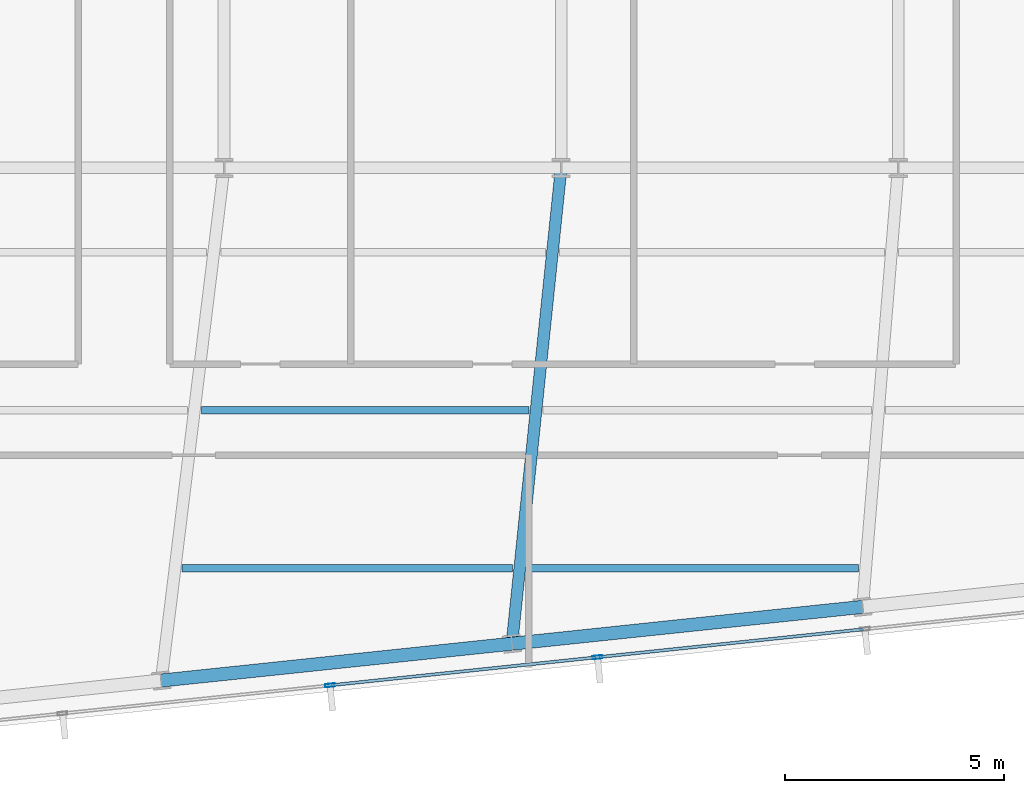
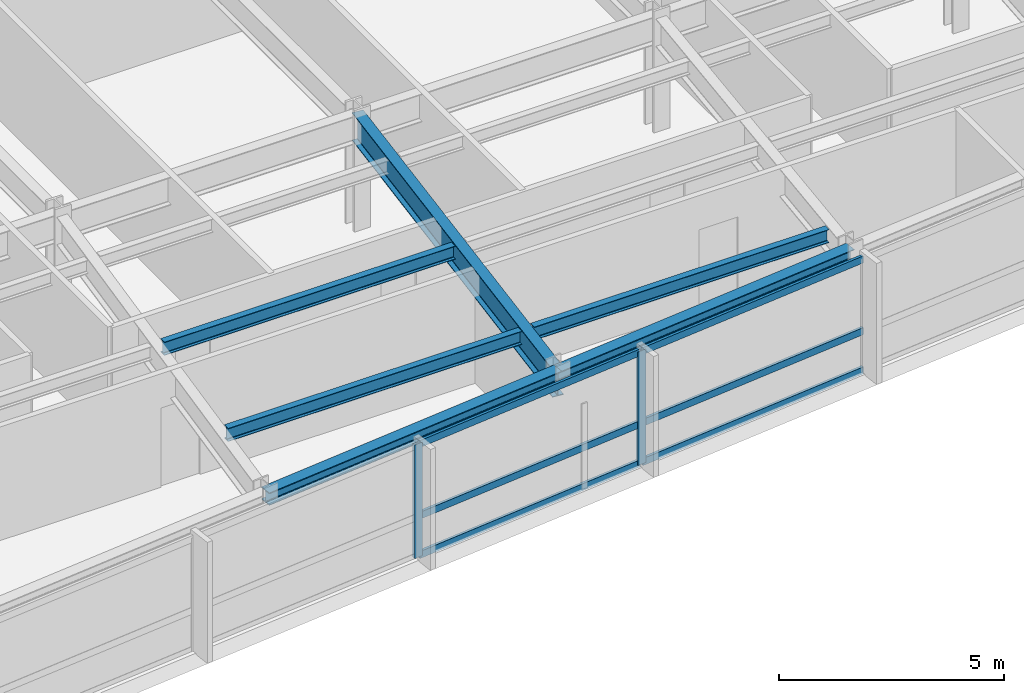
# One storey, part 4 of 26: 8 members, 6 beams, 1 element without a shape of its own.
"""IFC4 building model written with IfcOpenShell, lengths in metres."""

import ifcopenshell
import ifcopenshell.guid

model = None  # the IFC model being written
_history = None  # IfcOwnerHistory: only IFC2X3 demands one
_inside = {}  # id of a spatial element -> (the spatial element, [elements in it])
_under = {}  # id of a project, library or spatial element -> (it, [spatial elements below it])
_declared = {}  # id of a project -> (the project, [libraries it declares])
_typed = {}  # id of a type object -> (the type object, [elements of that type])
_made_of = {}  # id of a material, layer set ... -> (it, [elements and type objects made of it])


def new_model(schema):
    """Start an empty IFC model of exactly this schema.

    Asked for "IFC4X3", IfcOpenShell would pick the latest addendum, in which some entities
    have other attributes; the version numbers below select the first issue.
    IFC2X3 requires an IfcOwnerHistory on every rooted entity: one is made here for all.
    """
    global model, _history
    if schema == "IFC4X3":
        model = ifcopenshell.file(schema_version=(4, 3, 0, 0))
    else:
        model = ifcopenshell.file(schema=schema)
    _inside.clear()
    _under.clear()
    _declared.clear()
    _typed.clear()
    _made_of.clear()
    _history = None
    if model.schema == "IFC2X3":
        org = make("IfcOrganization", Name="unknown")
        user = make(
            "IfcPersonAndOrganization",
            ThePerson=make("IfcPerson", FamilyName="unknown"),
            TheOrganization=org,
        )
        app = make(
            "IfcApplication",
            ApplicationDeveloper=org,
            Version="unknown",
            ApplicationFullName="unknown",
            ApplicationIdentifier="unknown",
        )
        _history = make(
            "IfcOwnerHistory",
            OwningUser=user,
            OwningApplication=app,
            ChangeAction="ADDED",
            CreationDate=0,
        )
    return model


def make(cls, **values):
    """One entity of the class cls with the attributes given. An attribute that is None is left unset."""
    return model.create_entity(
        cls, **{name: value for name, value in values.items() if value is not None}
    )


def rooted(cls, **values):
    """An entity with a GlobalId (a new one), such as an element, a storey or a relation."""
    return make(cls, GlobalId=ifcopenshell.guid.new(), OwnerHistory=_history, **values)


def si_unit(unit_type, name, prefix=None):
    """IfcSIUnit, for example si_unit("LENGTHUNIT", "METRE", prefix="MILLI")."""
    return make("IfcSIUnit", UnitType=unit_type, Prefix=prefix, Name=name)


def assignment(units):
    """IfcUnitAssignment: the units of a project."""
    return None if units is None else make("IfcUnitAssignment", Units=units)


def point(xyz):
    """IfcCartesianPoint."""
    return None if xyz is None else make("IfcCartesianPoint", Coordinates=xyz)


def direction(xyz):
    """IfcDirection."""
    return None if xyz is None else make("IfcDirection", DirectionRatios=xyz)


def frame(location, z_axis=None, x_axis=None):
    """IfcAxis2Placement3D, a coordinate frame: its origin and axes. An axis left out is left unset."""
    return make(
        "IfcAxis2Placement3D",
        Location=point(location),
        Axis=direction(z_axis),
        RefDirection=direction(x_axis),
    )


def frame_2d(location, x_axis=None):
    """IfcAxis2Placement2D, a coordinate frame in the plane: its origin and x axis."""
    return make(
        "IfcAxis2Placement2D", Location=point(location), RefDirection=direction(x_axis)
    )


def origin():
    """The frame at (0, 0, 0) with its axes left unset."""
    return frame((0.0, 0.0, 0.0))


def origin_2d():
    """The frame at (0, 0) in the plane with its x axis left unset."""
    return frame_2d((0.0, 0.0))


def place(relative_to, where):
    """IfcLocalPlacement: puts the frame where relative to a parent placement (None: the world)."""
    return make(
        "IfcLocalPlacement", PlacementRelTo=relative_to, RelativePlacement=where
    )


def context(
    kind, dimensions, precision=None, world=None, true_north=None, identifier=None
):
    """IfcGeometricRepresentationContext, for example the 3D "Model" context."""
    return make(
        "IfcGeometricRepresentationContext",
        ContextIdentifier=identifier,
        ContextType=kind,
        CoordinateSpaceDimension=dimensions,
        Precision=precision,
        WorldCoordinateSystem=world,
        TrueNorth=true_north,
    )


def subcontext(parent, identifier, kind, view, scale=None):
    """IfcGeometricRepresentationSubContext, for example "Body" below "Model"."""
    return make(
        "IfcGeometricRepresentationSubContext",
        ContextIdentifier=identifier,
        ContextType=kind,
        ParentContext=parent,
        TargetScale=scale,
        TargetView=view,
    )


def project(units=None, contexts=None):
    """IfcProject with its units and contexts."""
    return rooted(
        "IfcProject",
        Name="project",
        RepresentationContexts=contexts,
        UnitsInContext=assignment(units),
    )


def spatial(cls, under=None, at=None, **own):
    """A site, building, storey or space (cls), placed at a placement, below another one or the project."""
    s = rooted(cls, ObjectPlacement=at, **own)
    if under is not None:
        _under.setdefault(under.id(), (under, []))[1].append(s)
    return s


def profile(cls, at=None, kind="AREA", **sizes):
    """A parametric profile (cls). Its sizes go by their IFC names, for example OverallWidth=200.0."""
    return make(cls, ProfileType=kind, Position=at, **sizes)


def hollow_rectangle(**sizes):
    """IfcRectangleHollowProfileDef."""
    return profile("IfcRectangleHollowProfileDef", **sizes)


def i_section(**sizes):
    """IfcIShapeProfileDef."""
    return profile("IfcIShapeProfileDef", **sizes)


def extrude(swept, where, along, depth):
    """IfcExtrudedAreaSolid: the profile swept, set in the frame where, extruded along a direction by depth."""
    return make(
        "IfcExtrudedAreaSolid",
        SweptArea=swept,
        Position=where,
        ExtrudedDirection=direction(along),
        Depth=depth,
    )


def shape(context_of_items, identifier, shape_type, items):
    """IfcShapeRepresentation: the items that make up one representation, for example the "Body"."""
    return make(
        "IfcShapeRepresentation",
        ContextOfItems=context_of_items,
        RepresentationIdentifier=identifier,
        RepresentationType=shape_type,
        Items=items,
    )


def material(Name=None, Category=None):
    """IfcMaterial."""
    return make("IfcMaterial", Name=Name, Category=Category)


def material_profile(
    of_material, cross_section, Name=None, Category=None, Priority=None
):
    """IfcMaterialProfile: a cross section and its material."""
    return make(
        "IfcMaterialProfile",
        Name=Name,
        Material=of_material,
        Profile=cross_section,
        Priority=Priority,
        Category=Category,
    )


def profile_set(profiles, Name=None, composite=None):
    """IfcMaterialProfileSet."""
    return make(
        "IfcMaterialProfileSet",
        Name=Name,
        MaterialProfiles=profiles,
        CompositeProfile=composite,
    )


def made_of(thing, what):
    """Note that an element or type object is made of a material, layer set ...; save() writes the relation."""
    if what is not None:
        _made_of.setdefault(what.id(), (what, []))[1].append(thing)
    return thing


def type_object(cls, material=None, **own):
    """A type object (cls), such as IfcWallType, which elements share."""
    return made_of(rooted(cls, **own), material)


def element(
    cls,
    number,
    at=None,
    inside=None,
    cuts=None,
    type_object=None,
    material=None,
    context=None,
    identifier="Body",
    shape_type=None,
    held_by="IfcProductDefinitionShape",
    body=None,
    shapes=None,
    **own,
):
    """One element of the class cls, such as IfcWall. Its Tag is "e" and its number.

    at: its placement. inside: the storey or other place that contains it. cuts: it is an
    opening in that element (IfcRelVoidsElement). A single representation is given by context,
    identifier, shape_type and body (its items); several are given by shapes. held_by: the class
    of the entity that holds the representations. save() writes the other relations.
    """
    e = rooted(cls, Tag="e%d" % number, ObjectPlacement=at, **own)
    if body is not None:
        shapes = [shape(context, identifier, shape_type, body)]
    if shapes is not None:
        e.Representation = make(held_by, Representations=shapes)
    if inside is not None:
        _inside.setdefault(inside.id(), (inside, []))[1].append(e)
    if cuts is not None:
        rooted(
            "IfcRelVoidsElement", RelatingBuildingElement=cuts, RelatedOpeningElement=e
        )
    if type_object is not None:
        _typed.setdefault(type_object.id(), (type_object, []))[1].append(e)
    return made_of(e, material)


def aggregate(whole, parts):
    """IfcRelAggregates: a whole, such as a stair, and the parts it consists of."""
    return rooted("IfcRelAggregates", RelatingObject=whole, RelatedObjects=parts)


def save(model, path):
    """Write the relations noted so far, then the file.

    IfcRelAggregates (storeys below a building ...), IfcRelContainedInSpatialStructure (elements
    in a storey), IfcRelDefinesByType, IfcRelAssociatesMaterial and IfcRelDeclares: one each for
    every whole, place, type object, material and project.
    """
    for whole, parts in _under.values():
        aggregate(whole, parts)
    for where, things in _inside.values():
        rooted(
            "IfcRelContainedInSpatialStructure",
            RelatedElements=things,
            RelatingStructure=where,
        )
    for kind, things in _typed.values():
        rooted("IfcRelDefinesByType", RelatedObjects=things, RelatingType=kind)
    for what, things in _made_of.values():
        rooted("IfcRelAssociatesMaterial", RelatedObjects=things, RelatingMaterial=what)
    for by, libraries in _declared.values():
        rooted("IfcRelDeclares", RelatingContext=by, RelatedDefinitions=libraries)
    model.write(path)


model = new_model("IFC4")

# Units and contexts
model_context = context("Model", 3, precision=1e-05, world=origin(), true_north=direction((0.0, 1.0)))
body_context = subcontext(model_context, "Body", "Model", "MODEL_VIEW")
ifc_project = project(units=[si_unit("LENGTHUNIT", "METRE"), si_unit("AREAUNIT", "SQUARE_METRE"), si_unit("VOLUMEUNIT", "CUBIC_METRE"), si_unit("PLANEANGLEUNIT", "RADIAN"), si_unit("MASSUNIT", "GRAM", prefix="KILO")], contexts=[model_context])

# Site, building, storey
site_placement = place(None, origin())
site = spatial("IfcSite", under=ifc_project, at=site_placement, CompositionType="ELEMENT")
building_placement = place(site_placement, origin())
building = spatial("IfcBuilding", under=site, at=building_placement, Name="Yelkora Congress Tower", CompositionType="ELEMENT")
storey_placement = place(building_placement, frame((0.0, 0.0, 204.5)))
storey = spatial("IfcBuildingStorey", under=building, at=storey_placement, Name="L56", CompositionType="ELEMENT", Elevation=204.5)

# Beams
ifc_material_1 = material(Name="Steel S355J2", Category="steel")
ifc_material_profile_1 = material_profile(ifc_material_1, i_section(OverallWidth=0.26708984375, OverallDepth=0.761962890625, WebThickness=0.014404296875, FlangeThickness=0.021484375, FilletRadius=0.01708984375, at=origin_2d()), Name="IPE 750x173")
ifc_profile_set_1 = profile_set([ifc_material_profile_1], Name="Steel S355J2")
beam_type_1 = type_object("IfcBeamType", Name="BM-GIRD-IPE750", PredefinedType="BEAM", material=ifc_profile_set_1)
beam_1_placement = place(storey_placement, frame((37.277587890625, 14.35791015625, 2.698974609375), z_axis=(0.102964870035, 0.99468499312, 0.0), x_axis=(-0.99468499312, 0.102964870035, 0.0)))
element("IfcBeam", 1, at=beam_1_placement, inside=storey, type_object=beam_type_1, Name="L56 Primary Frame Girder S03", PredefinedType="BEAM", context=body_context, shape_type="SweptSolid", body=[
    extrude(i_section(OverallWidth=0.26708984375, OverallDepth=0.761962890625, WebThickness=0.014404296875, FlangeThickness=0.021484375, FilletRadius=0.01708984375, at=origin_2d()), origin(), (0.0, 0.0, 1.0), 10.89990234375),
])
ifc_material_profile_2 = material_profile(ifc_material_1, i_section(OverallWidth=0.169921875, OverallDepth=0.360107421875, WebThickness=0.008056640625, FlangeThickness=0.0126953125, FilletRadius=0.01806640625, at=origin_2d()), Name="IPE 360")
ifc_profile_set_2 = profile_set([ifc_material_profile_2], Name="Steel S355J2")
beam_type_2 = type_object("IfcBeamType", Name="BM-JOIST-IPE360", PredefinedType="JOIST", material=ifc_profile_set_2)
beam_2_placement = place(storey_placement, frame((29.76220703125, 16.07861328125, 2.89990234375), z_axis=(1.0, 0.0, 0.0), x_axis=(0.0, 1.0, 0.0)))
element("IfcBeam", 2, at=beam_2_placement, inside=storey, type_object=beam_type_2, Name="L56 Composite Floor Joist 1", PredefinedType="JOIST", context=body_context, shape_type="SweptSolid", body=[
    extrude(i_section(OverallWidth=0.169921875, OverallDepth=0.360107421875, WebThickness=0.008056640625, FlangeThickness=0.0126953125, FilletRadius=0.01806640625, at=origin_2d()), origin(), (0.0, 0.0, 1.0), 7.53369140625),
])
beam_3_placement = place(storey_placement, frame((37.61572265625, 16.07861328125, 2.89990234375), z_axis=(1.0, 0.0, 0.0), x_axis=(0.0, 1.0, 0.0)))
element("IfcBeam", 3, at=beam_3_placement, inside=storey, type_object=beam_type_2, Name="L56 Composite Floor Joist 2", PredefinedType="JOIST", context=body_context, shape_type="SweptSolid", body=[
    extrude(i_section(OverallWidth=0.169921875, OverallDepth=0.360107421875, WebThickness=0.008056640625, FlangeThickness=0.0126953125, FilletRadius=0.01806640625, at=origin_2d()), origin(), (0.0, 0.0, 1.0), 7.56298828125),
])
beam_4_placement = place(storey_placement, frame((30.203369140625, 19.678466796875, 2.89990234375), z_axis=(1.0, 0.0, 0.0), x_axis=(0.0, 1.0, 0.0)))
element("IfcBeam", 4, at=beam_4_placement, inside=storey, type_object=beam_type_2, Name="L56 Composite Floor Joist 4", PredefinedType="JOIST", context=body_context, shape_type="SweptSolid", body=[
    extrude(i_section(OverallWidth=0.169921875, OverallDepth=0.360107421875, WebThickness=0.008056640625, FlangeThickness=0.0126953125, FilletRadius=0.01806640625, at=origin_2d()), origin(), (0.0, 0.0, 1.0), 7.465087890625),
])
ifc_material_profile_3 = material_profile(ifc_material_1, i_section(OverallWidth=0.300048828125, OverallDepth=0.340087890625, WebThickness=0.011962890625, FlangeThickness=0.021484375, FilletRadius=0.027099609375, at=origin_2d()), Name="HEB 340")
ifc_profile_set_3 = profile_set([ifc_material_profile_3], Name="Steel S355J2")
beam_type_3 = type_object("IfcBeamType", Name="BM-SPAN-HEB340", PredefinedType="SPANDREL", material=ifc_profile_set_3)
beam_5_placement = place(storey_placement, frame((29.288330078125, 13.518310546875, 2.909912109375), z_axis=(0.994523256947, 0.104515507904, 0.0), x_axis=(-0.104515507904, 0.994523256947, 0.0)))
element("IfcBeam", 5, at=beam_5_placement, inside=storey, type_object=beam_type_3, Name="L56 Perimeter Beam 4", PredefinedType="SPANDREL", context=body_context, shape_type="SweptSolid", body=[
    extrude(i_section(OverallWidth=0.300048828125, OverallDepth=0.340087890625, WebThickness=0.011962890625, FlangeThickness=0.021484375, FilletRadius=0.027099609375, at=origin_2d()), origin(), (0.0, 0.0, 1.0), 8.033203125),
])
beam_6_placement = place(storey_placement, frame((37.277587890625, 14.35791015625, 2.909912109375), z_axis=(0.99452358891, 0.104512349038, 0.0), x_axis=(-0.104512349038, 0.99452358891, 0.0)))
element("IfcBeam", 6, at=beam_6_placement, inside=storey, type_object=beam_type_3, Name="L56 Perimeter Beam 5", PredefinedType="SPANDREL", context=body_context, shape_type="SweptSolid", body=[
    extrude(i_section(OverallWidth=0.300048828125, OverallDepth=0.340087890625, WebThickness=0.011962890625, FlangeThickness=0.021484375, FilletRadius=0.027099609375, at=origin_2d()), origin(), (0.0, 0.0, 1.0), 8.033447265625),
])

# Curtain wall, members
ifc_material_2 = material(Name="Anodised aluminium and insulated glass", Category="aluminium")
curtain_wall_type = type_object("IfcCurtainWallType", Name="CW-SYS-SKY", PredefinedType="NOTDEFINED", material=ifc_material_2)
curtain_wall_placement = place(storey_placement, origin())
curtain_wall = element("IfcCurtainWall", 7, at=curtain_wall_placement, inside=storey, type_object=curtain_wall_type, Name="L56 Unitised Curtain Wall 20", PredefinedType="NOTDEFINED")
ifc_material_3 = material(Name="Anodised aluminium 6063-T6", Category="aluminium")
ifc_material_profile_4 = material_profile(ifc_material_3, hollow_rectangle(XDim=0.074951171875, YDim=0.219970703125, WallThickness=0.0048828125, at=origin_2d()), Name="ALU 75x220x5")
ifc_profile_set_4 = profile_set([ifc_material_profile_4], Name="Anodised aluminium 6063-T6")
member_type_1 = type_object("IfcMemberType", Name="MEM-ML-SKY", PredefinedType="MULLION", material=ifc_profile_set_4)
member_1_placement = place(storey_placement, frame((39.226318359375, 14.050048828125, 0.0), z_axis=(0.0, 0.0, 1.0), x_axis=(0.104526664994, -0.994522084373, 0.0)))
member_1 = element("IfcMember", 8, at=member_1_placement, type_object=member_type_1, Name="CW-SKY mullion 6", PredefinedType="MULLION", context=body_context, shape_type="SweptSolid", body=[
    extrude(hollow_rectangle(XDim=0.074951171875, YDim=0.219970703125, WallThickness=0.0048828125, at=origin_2d()), origin(), (0.0, 0.0, 1.0), 3.080078125),
])
member_2_placement = place(storey_placement, frame((33.132568359375, 13.409423828125, 0.0), z_axis=(0.0, 0.0, 1.0), x_axis=(0.104526664994, -0.994522084373, 0.0)))
member_2 = element("IfcMember", 9, at=member_2_placement, type_object=member_type_1, Name="CW-SKY mullion 7", PredefinedType="MULLION", context=body_context, shape_type="SweptSolid", body=[
    extrude(hollow_rectangle(XDim=0.074951171875, YDim=0.219970703125, WallThickness=0.0048828125, at=origin_2d()), origin(), (0.0, 0.0, 1.0), 3.080078125),
])
ifc_material_profile_5 = material_profile(ifc_material_3, hollow_rectangle(XDim=0.070068359375, YDim=0.18994140625, WallThickness=0.00390625, at=origin_2d()), Name="ALU 70x190x4")
ifc_profile_set_5 = profile_set([ifc_material_profile_5], Name="Anodised aluminium 6063-T6")
member_type_2 = type_object("IfcMemberType", Name="MEM-TR-SKY", PredefinedType="USERDEFINED", material=ifc_profile_set_5)
member_3_placement = place(storey_placement, frame((45.282958984375, 14.6865234375, 0.034912109375), z_axis=(-0.994523341638, -0.104514702015, 0.0), x_axis=(0.104514702015, -0.994523341638, 0.0)))
member_3 = element("IfcMember", 10, at=member_3_placement, type_object=member_type_2, Name="CW-SKY transom 5.1", ObjectType="TRANSOM", PredefinedType="USERDEFINED", context=body_context, shape_type="SweptSolid", body=[
    extrude(hollow_rectangle(XDim=0.070068359375, YDim=0.18994140625, WallThickness=0.00390625, at=origin_2d()), origin(), (0.0, 0.0, 1.0), 6.052490234375),
])
member_4_placement = place(storey_placement, frame((45.282958984375, 14.6865234375, 1.10009765625), z_axis=(-0.994523341638, -0.104514702015, 0.0), x_axis=(0.104514702015, -0.994523341638, 0.0)))
member_4 = element("IfcMember", 11, at=member_4_placement, type_object=member_type_2, Name="CW-SKY transom 5.2", ObjectType="TRANSOM", PredefinedType="USERDEFINED", context=body_context, shape_type="SweptSolid", body=[
    extrude(hollow_rectangle(XDim=0.070068359375, YDim=0.18994140625, WallThickness=0.00390625, at=origin_2d()), origin(), (0.0, 0.0, 1.0), 6.052490234375),
])
member_5_placement = place(storey_placement, frame((45.282958984375, 14.6865234375, 3.044921875), z_axis=(-0.994523341638, -0.104514702015, 0.0), x_axis=(0.104514702015, -0.994523341638, 0.0)))
member_5 = element("IfcMember", 12, at=member_5_placement, type_object=member_type_2, Name="CW-SKY transom 5.3", ObjectType="TRANSOM", PredefinedType="USERDEFINED", context=body_context, shape_type="SweptSolid", body=[
    extrude(hollow_rectangle(XDim=0.070068359375, YDim=0.18994140625, WallThickness=0.00390625, at=origin_2d()), origin(), (0.0, 0.0, 1.0), 6.052490234375),
])
member_6_placement = place(storey_placement, frame((39.189208984375, 14.046142578125, 0.034912109375), z_axis=(-0.994519589001, -0.104550404554, 0.0), x_axis=(0.104550404554, -0.994519589001, 0.0)))
member_6 = element("IfcMember", 13, at=member_6_placement, type_object=member_type_2, Name="CW-SKY transom 6.1", ObjectType="TRANSOM", PredefinedType="USERDEFINED", context=body_context, shape_type="SweptSolid", body=[
    extrude(hollow_rectangle(XDim=0.070068359375, YDim=0.18994140625, WallThickness=0.00390625, at=origin_2d()), origin(), (0.0, 0.0, 1.0), 6.052734375),
])
member_7_placement = place(storey_placement, frame((39.189208984375, 14.046142578125, 1.10009765625), z_axis=(-0.994519589001, -0.104550404554, 0.0), x_axis=(0.104550404554, -0.994519589001, 0.0)))
member_7 = element("IfcMember", 14, at=member_7_placement, type_object=member_type_2, Name="CW-SKY transom 6.2", ObjectType="TRANSOM", PredefinedType="USERDEFINED", context=body_context, shape_type="SweptSolid", body=[
    extrude(hollow_rectangle(XDim=0.070068359375, YDim=0.18994140625, WallThickness=0.00390625, at=origin_2d()), origin(), (0.0, 0.0, 1.0), 6.052734375),
])
member_8_placement = place(storey_placement, frame((39.189208984375, 14.046142578125, 3.044921875), z_axis=(-0.994519589001, -0.104550404554, 0.0), x_axis=(0.104550404554, -0.994519589001, 0.0)))
member_8 = element("IfcMember", 15, at=member_8_placement, type_object=member_type_2, Name="CW-SKY transom 6.3", ObjectType="TRANSOM", PredefinedType="USERDEFINED", context=body_context, shape_type="SweptSolid", body=[
    extrude(hollow_rectangle(XDim=0.070068359375, YDim=0.18994140625, WallThickness=0.00390625, at=origin_2d()), origin(), (0.0, 0.0, 1.0), 6.052734375),
])
aggregate(curtain_wall, [member_1, member_2, member_3, member_4, member_5, member_6, member_7, member_8])

save(model, "model.ifc")
